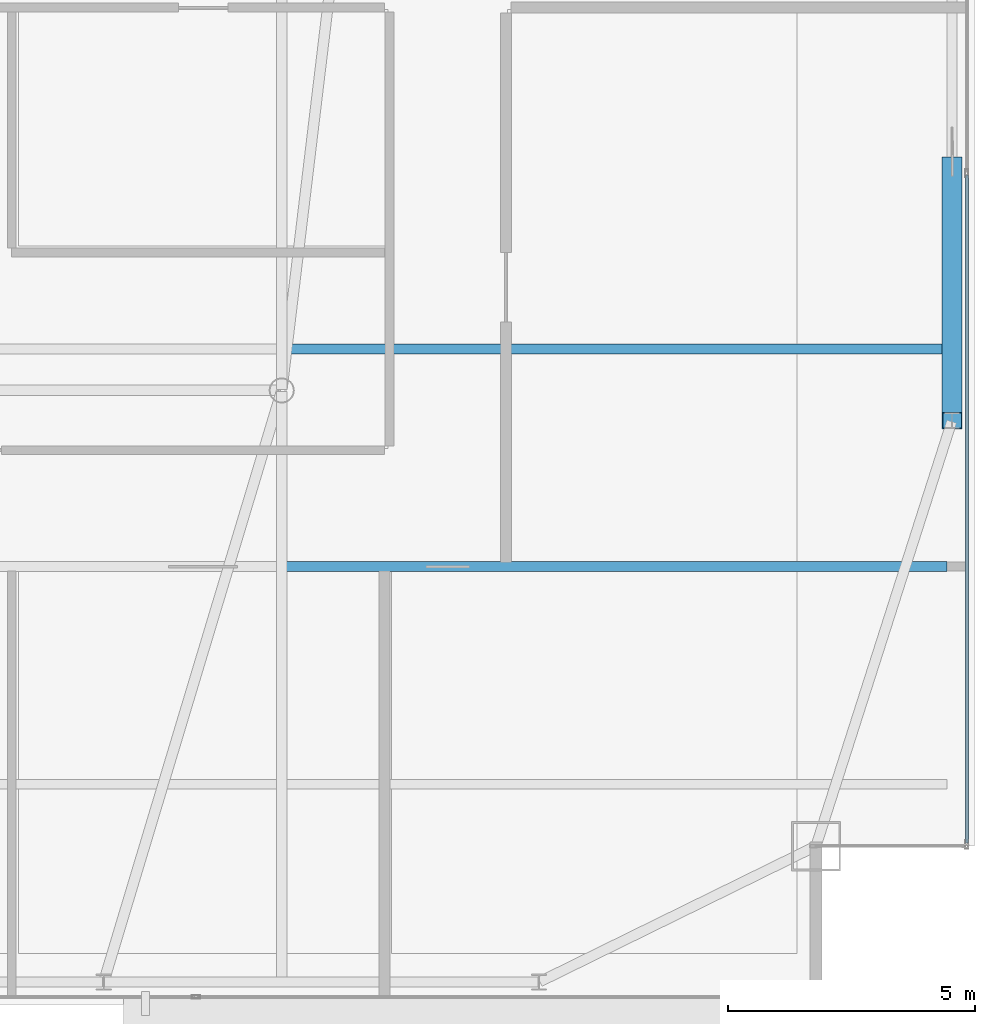
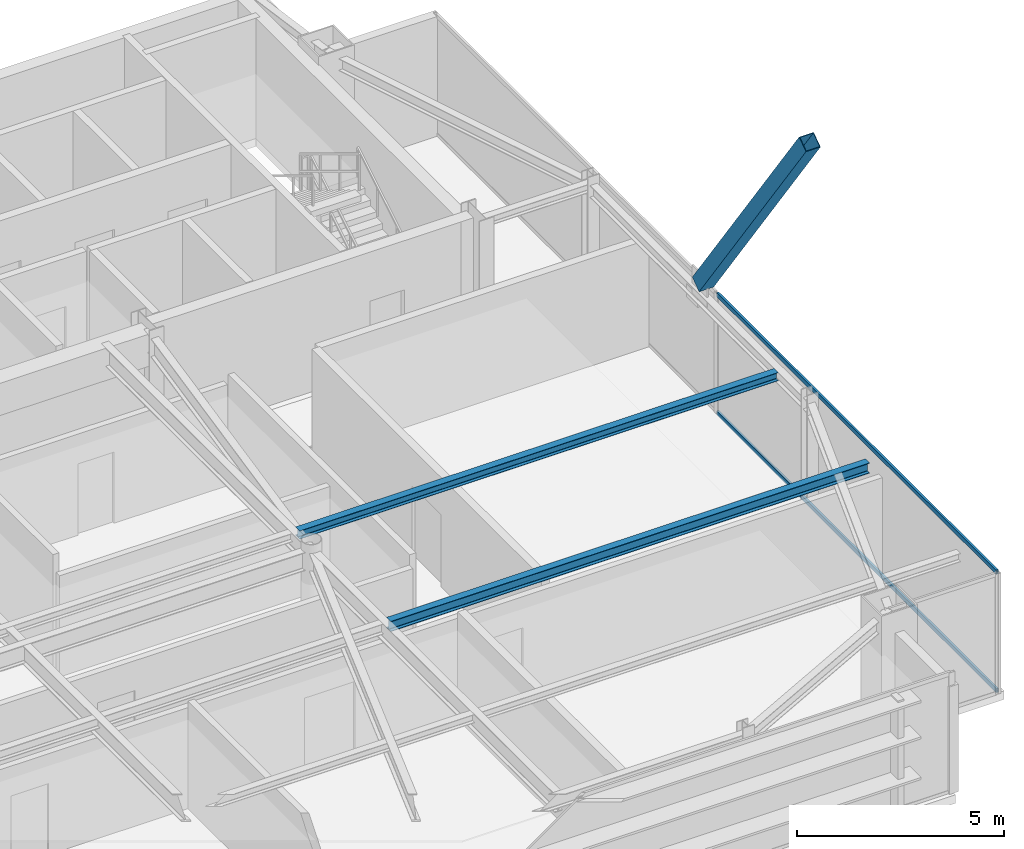
# One storey, part 15 of 24: 3 members, 2 beams, 1 element without a shape of its own.
"""IFC4 building model written with IfcOpenShell, lengths in metres."""

from ifc_helpers import new_model, si_unit, direction, frame, origin, origin_2d, place, context, subcontext, project, spatial, hollow_rectangle, i_section, extrude, source, transform, mapped, material, layer, layer_set, material_profile, profile_set, type_object, type_shapes, element, aggregate, save


model = new_model("IFC4")

# Units and contexts
model_context = context("Model", 3, precision=1e-05, world=origin(), true_north=direction((0.0, 1.0)))
body_context = subcontext(model_context, "Body", "Model", "MODEL_VIEW")
ifc_project = project(units=[si_unit("LENGTHUNIT", "METRE"), si_unit("AREAUNIT", "SQUARE_METRE"), si_unit("VOLUMEUNIT", "CUBIC_METRE"), si_unit("PLANEANGLEUNIT", "RADIAN"), si_unit("MASSUNIT", "GRAM", prefix="KILO")], contexts=[model_context])

# Site, building, storey
site_placement = place(None, origin())
site = spatial("IfcSite", under=ifc_project, at=site_placement, CompositionType="ELEMENT")
building_placement = place(site_placement, origin())
building = spatial("IfcBuilding", under=site, at=building_placement, Name="Varnel Quay Broadcast Tower", CompositionType="ELEMENT")
storey_placement = place(building_placement, frame((0.0, 0.0, 262.199951171875)))
storey = spatial("IfcBuildingStorey", under=building, at=storey_placement, Name="L65", CompositionType="ELEMENT", Elevation=262.199951171875)

# Beams
ifc_material_1 = material(Name="Structural Steel CSA G40.21 350W", Category="steel")
ifc_material_profile_1 = material_profile(ifc_material_1, i_section(OverallWidth=0.201904296875, OverallDepth=0.2470703125, WebThickness=0.00732421875, FlangeThickness=0.010986328125, FilletRadius=0.010986328125, at=origin_2d()), Name="W250X49")
ifc_profile_set_1 = profile_set([ifc_material_profile_1], Name="Structural Steel CSA G40.21 350W")
beam_type_1 = type_object("IfcBeamType", Name="Beam_W250X49", PredefinedType="JOIST", material=ifc_profile_set_1)
shared_shape_1 = source(origin(), body_context, "Body", "SweptSolid", [
    extrude(i_section(OverallWidth=0.201904296875, OverallDepth=0.2470703125, WebThickness=0.00732421875, FlangeThickness=0.010986328125, FilletRadius=0.010986328125, at=origin_2d()), origin(), (0.0, 0.0, 1.0), 13.351318359375),
])
type_shapes(beam_type_1, [shared_shape_1])
beam_1_placement = place(storey_placement, frame((42.10107421875, 26.449951171875, 3.426513671875), z_axis=(1.0, 0.0, 0.0), x_axis=(0.0, 1.0, 0.0)))
element("IfcBeam", 1, at=beam_1_placement, inside=storey, type_object=beam_type_1, Name="L65 East Floor Joist 3", PredefinedType="JOIST", context=body_context, shape_type="MappedRepresentation", body=[
    mapped(shared_shape_1, transform((0.0, 0.0, 0.0), x_axis=(1.0, 0.0, 0.0), y_axis=(0.0, 1.0, 0.0), z_axis=(0.0, 0.0, 1.0), scale=1.0)),
])
ifc_material_profile_2 = material_profile(ifc_material_1, i_section(OverallWidth=0.202880859375, OverallDepth=0.302978515625, WebThickness=0.007568359375, FlangeThickness=0.01318359375, FilletRadius=0.011962890625, at=origin_2d()), Name="W310X60")
ifc_profile_set_2 = profile_set([ifc_material_profile_2], Name="Structural Steel CSA G40.21 350W")
beam_type_2 = type_object("IfcBeamType", Name="Beam_W310X60", PredefinedType="JOIST", material=ifc_profile_set_2)
shared_shape_2 = source(origin(), body_context, "Body", "SweptSolid", [
    extrude(i_section(OverallWidth=0.202880859375, OverallDepth=0.302978515625, WebThickness=0.007568359375, FlangeThickness=0.01318359375, FilletRadius=0.011962890625, at=origin_2d()), origin(), (0.0, 0.0, 1.0), 13.351318359375),
])
type_shapes(beam_type_2, [shared_shape_2])
beam_2_placement = place(storey_placement, frame((42.10107421875, 22.050048828125, 3.3984375), z_axis=(1.0, 0.0, 0.0), x_axis=(0.0, 1.0, 0.0)))
element("IfcBeam", 2, at=beam_2_placement, inside=storey, type_object=beam_type_2, Name="L65 East Floor Joist 2", PredefinedType="JOIST", context=body_context, shape_type="MappedRepresentation", body=[
    mapped(shared_shape_2, transform((0.0, 0.0, 0.0), x_axis=(1.0, 0.0, 0.0), y_axis=(0.0, 1.0, 0.0), z_axis=(0.0, 0.0, 1.0), scale=1.0)),
])

# Member
ifc_material_profile_3 = material_profile(ifc_material_1, hollow_rectangle(XDim=0.406005859375, YDim=0.406005859375, WallThickness=0.01611328125, at=origin_2d()), Name="HSS406X406X16")
ifc_profile_set_3 = profile_set([ifc_material_profile_3], Name="Structural Steel CSA G40.21 350W")
member_type_1 = type_object("IfcMemberType", Name="Brace_HSS406X406X16", PredefinedType="BRACE", material=ifc_profile_set_3)
shared_shape_3 = source(origin(), body_context, "Body", "SweptSolid", [
    extrude(hollow_rectangle(XDim=0.406005859375, YDim=0.406005859375, WallThickness=0.01611328125, at=origin_2d()), origin(), (0.0, 0.0, 1.0), 8.906982421875),
])
type_shapes(member_type_1, [shared_shape_3])
member_1_placement = place(storey_placement, frame((55.550048828125, 30.160888671875, 3.87060546875), z_axis=(0.0, -0.579416578222, 0.81503155085), x_axis=(1.0, 0.0, 0.0)))
element("IfcMember", 3, at=member_1_placement, inside=storey, type_object=member_type_1, Name="Zone 5 Mega-Brace E-FT1 Split Diag B2", PredefinedType="BRACE", context=body_context, shape_type="MappedRepresentation", body=[
    mapped(shared_shape_3, transform((0.0, 0.0, 0.0), x_axis=(1.0, 0.0, 0.0), y_axis=(0.0, 1.0, 0.0), z_axis=(0.0, 0.0, 1.0), scale=1.0)),
])

# Curtain wall, members
ifc_material_2 = material(Name="Anodised Bronze Aluminium 6063-T6", Category="aluminium")
ifc_layer = layer(ifc_material_2, 0.18994140625, Name="Anodised Bronze Aluminium 6063-T6")
ifc_layer_set = layer_set([ifc_layer], Name="Anodised Bronze Aluminium 6063-T6")
curtain_wall_type = type_object("IfcCurtainWallType", Name="CW_UpperTower", PredefinedType="NOTDEFINED", material=ifc_layer_set)
curtain_wall_placement = place(storey_placement, origin())
curtain_wall = element("IfcCurtainWall", 4, at=curtain_wall_placement, inside=storey, type_object=curtain_wall_type, Name="L65 East Unitised Curtain Wall", PredefinedType="NOTDEFINED")
ifc_material_profile_4 = material_profile(ifc_material_2, hollow_rectangle(XDim=0.06005859375, YDim=0.125, WallThickness=0.0029296875, at=origin_2d()), Name="ALU60X125X3")
ifc_profile_set_4 = profile_set([ifc_material_profile_4], Name="Anodised Bronze Aluminium 6063-T6")
member_type_2 = type_object("IfcMemberType", Name="Tran_CWS-03", PredefinedType="USERDEFINED", material=ifc_profile_set_4)
shared_shape_4 = source(origin(), body_context, "Body", "SweptSolid", [
    extrude(hollow_rectangle(XDim=0.06005859375, YDim=0.125, WallThickness=0.0029296875, at=origin_2d()), origin(), (0.0, 0.0, 1.0), 13.50244140625),
])
type_shapes(member_type_2, [shared_shape_4])
member_2_placement = place(storey_placement, frame((55.85009765625, 16.465087890625, 0.030029296875), z_axis=(0.0, 1.0, 0.0), x_axis=(-1.0, 0.0, 0.0)))
member_2 = element("IfcMember", 5, at=member_2_placement, type_object=member_type_2, Name="CWS-03 transom 1.1", ObjectType="TRANSOM", PredefinedType="USERDEFINED", context=body_context, shape_type="MappedRepresentation", body=[
    mapped(shared_shape_4, transform((0.0, 0.0, 0.0), x_axis=(1.0, 0.0, 0.0), y_axis=(0.0, 1.0, 0.0), z_axis=(0.0, 0.0, 1.0), scale=1.0)),
])
member_3_placement = place(storey_placement, frame((55.85009765625, 16.465087890625, 3.52001953125), z_axis=(0.0, 1.0, 0.0), x_axis=(-1.0, 0.0, 0.0)))
member_3 = element("IfcMember", 6, at=member_3_placement, type_object=member_type_2, Name="CWS-03 transom 1.2", ObjectType="TRANSOM", PredefinedType="USERDEFINED", context=body_context, shape_type="MappedRepresentation", body=[
    mapped(shared_shape_4, transform((0.0, 0.0, 0.0), x_axis=(1.0, 0.0, 0.0), y_axis=(0.0, 1.0, 0.0), z_axis=(0.0, 0.0, 1.0), scale=1.0)),
])
aggregate(curtain_wall, [member_2, member_3])

save(model, "model.ifc")
